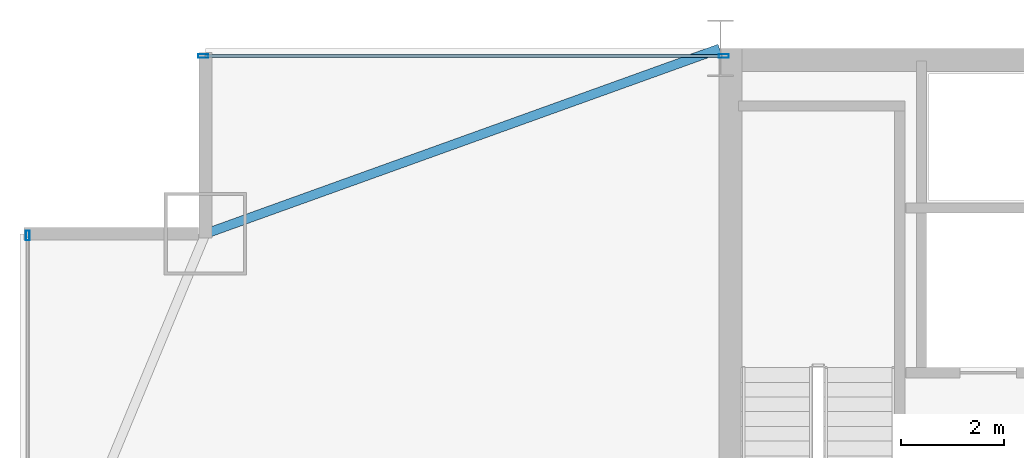
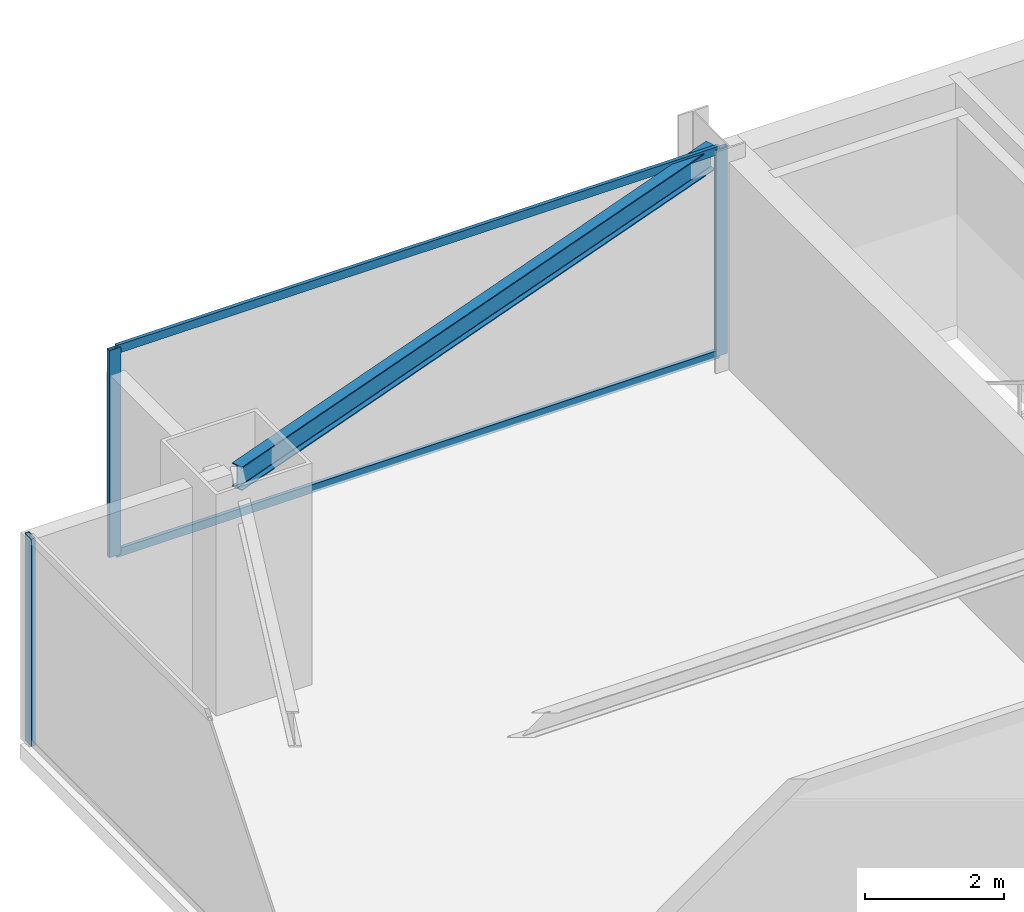
# One storey, part 22 of 30: 5 members, 1 beam, 2 elements without a shape of their own.
"""IFC4 building model written with IfcOpenShell, lengths in metres."""

from ifc_helpers import new_model, si_unit, direction, frame, origin, origin_2d, place, context, subcontext, project, spatial, hollow_rectangle, i_section, extrude, source, transform, mapped, material, layer, layer_set, material_profile, profile_set, type_object, type_shapes, element, aggregate, save


model = new_model("IFC4")

# Units and contexts
model_context = context("Model", 3, precision=1e-05, world=origin(), true_north=direction((0.0, 1.0)))
body_context = subcontext(model_context, "Body", "Model", "MODEL_VIEW")
ifc_project = project(units=[si_unit("LENGTHUNIT", "METRE"), si_unit("AREAUNIT", "SQUARE_METRE"), si_unit("VOLUMEUNIT", "CUBIC_METRE"), si_unit("PLANEANGLEUNIT", "RADIAN"), si_unit("MASSUNIT", "GRAM", prefix="KILO")], contexts=[model_context])

# Site, building, storey
site_placement = place(None, origin())
site = spatial("IfcSite", under=ifc_project, at=site_placement, CompositionType="ELEMENT")
building_placement = place(site_placement, origin())
building = spatial("IfcBuilding", under=site, at=building_placement, Name="Varnel Quay Broadcast Tower", CompositionType="ELEMENT")
storey_placement = place(building_placement, frame((0.0, 0.0, 62.699951171875)))
storey = spatial("IfcBuildingStorey", under=building, at=storey_placement, Name="L14", CompositionType="ELEMENT", Elevation=62.699951171875)

# Beam
ifc_material_1 = material(Name="Structural Steel CSA G40.21 350W", Category="steel")
ifc_material_profile_1 = material_profile(ifc_material_1, i_section(OverallWidth=0.180908203125, OverallDepth=0.4169921875, WebThickness=0.010986328125, FlangeThickness=0.018310546875, FilletRadius=0.011962890625, at=origin_2d()), Name="W410X85")
ifc_profile_set_1 = profile_set([ifc_material_profile_1], Name="Structural Steel CSA G40.21 350W")
beam_type = type_object("IfcBeamType", Name="Beam_W410X85", PredefinedType="SPANDREL", material=ifc_profile_set_1)
shared_shape_1 = source(origin(), body_context, "Body", "SweptSolid", [
    extrude(i_section(OverallWidth=0.180908203125, OverallDepth=0.4169921875, WebThickness=0.010986328125, FlangeThickness=0.018310546875, FilletRadius=0.011962890625, at=origin_2d()), origin(), (0.0, 0.0, 1.0), 10.58837890625),
])
type_shapes(beam_type, [shared_shape_1])
beam_placement = place(storey_placement, frame((5.618896484375, 43.206787109375, 3.441650390625), z_axis=(0.940888587605, 0.338716202321, 0.0), x_axis=(-0.338716202321, 0.940888587605, 0.0)))
element("IfcBeam", 1, at=beam_placement, inside=storey, type_object=beam_type, Name="L14 NW Tie Spandrel", PredefinedType="SPANDREL", context=body_context, shape_type="MappedRepresentation", body=[
    mapped(shared_shape_1, transform((0.0, 0.0, 0.0), x_axis=(1.0, 0.0, 0.0), y_axis=(0.0, 1.0, 0.0), z_axis=(0.0, 0.0, 1.0), scale=1.0)),
])

# Curtain wall, members
ifc_material_2 = material(Name="Anodised Bronze Aluminium 6063-T6", Category="aluminium")
ifc_layer = layer(ifc_material_2, 0.18994140625, Name="Anodised Bronze Aluminium 6063-T6")
ifc_layer_set = layer_set([ifc_layer], Name="Anodised Bronze Aluminium 6063-T6")
curtain_wall_type = type_object("IfcCurtainWallType", Name="CW_LowerTower", PredefinedType="NOTDEFINED", material=ifc_layer_set)
curtain_wall_1_placement = place(storey_placement, origin())
curtain_wall_1 = element("IfcCurtainWall", 2, at=curtain_wall_1_placement, inside=storey, type_object=curtain_wall_type, Name="L14 NW Wing Curtain Wall", PredefinedType="NOTDEFINED")
ifc_material_profile_2 = material_profile(ifc_material_2, hollow_rectangle(XDim=0.06005859375, YDim=0.14501953125, WallThickness=0.00341796875, at=origin_2d()), Name="ALU60X145X3.5")
ifc_profile_set_2 = profile_set([ifc_material_profile_2], Name="Anodised Bronze Aluminium 6063-T6")
member_type_1 = type_object("IfcMemberType", Name="Tran_CWS-02", PredefinedType="USERDEFINED", material=ifc_profile_set_2)
shared_shape_2 = source(origin(), body_context, "Body", "SweptSolid", [
    extrude(hollow_rectangle(XDim=0.06005859375, YDim=0.14501953125, WallThickness=0.00341796875, at=origin_2d()), origin(), (0.0, 0.0, 1.0), 10.039794921875),
])
type_shapes(member_type_1, [shared_shape_2])
member_1_placement = place(storey_placement, frame((5.590087890625, 46.64990234375, 0.030029296875), z_axis=(1.0, 0.0, 0.0), x_axis=(0.0, 1.0, 0.0)))
member_1 = element("IfcMember", 3, at=member_1_placement, type_object=member_type_1, Name="CWS-02 transom 1.1", ObjectType="TRANSOM", PredefinedType="USERDEFINED", context=body_context, shape_type="MappedRepresentation", body=[
    mapped(shared_shape_2, transform((0.0, 0.0, 0.0), x_axis=(1.0, 0.0, 0.0), y_axis=(0.0, 1.0, 0.0), z_axis=(0.0, 0.0, 1.0), scale=1.0)),
])
member_2_placement = place(storey_placement, frame((5.590087890625, 46.64990234375, 3.6201171875), z_axis=(1.0, 0.0, 0.0), x_axis=(0.0, 1.0, 0.0)))
member_2 = element("IfcMember", 4, at=member_2_placement, type_object=member_type_1, Name="CWS-02 transom 1.2", ObjectType="TRANSOM", PredefinedType="USERDEFINED", context=body_context, shape_type="MappedRepresentation", body=[
    mapped(shared_shape_2, transform((0.0, 0.0, 0.0), x_axis=(1.0, 0.0, 0.0), y_axis=(0.0, 1.0, 0.0), z_axis=(0.0, 0.0, 1.0), scale=1.0)),
])

# Curtain wall, member
curtain_wall_2_placement = place(storey_placement, origin())
curtain_wall_2 = element("IfcCurtainWall", 5, at=curtain_wall_2_placement, inside=storey, type_object=curtain_wall_type, Name="L14 West Unitised Curtain Wall", PredefinedType="NOTDEFINED")
ifc_material_profile_3 = material_profile(ifc_material_2, hollow_rectangle(XDim=0.070068359375, YDim=0.18994140625, WallThickness=0.00390625, at=origin_2d()), Name="ALU70X190X4")
ifc_profile_set_3 = profile_set([ifc_material_profile_3], Name="Anodised Bronze Aluminium 6063-T6")
member_type_2 = type_object("IfcMemberType", Name="Mull_CWS-02", PredefinedType="MULLION", material=ifc_profile_set_3)
shared_shape_3 = source(origin(), body_context, "Body", "SweptSolid", [
    extrude(hollow_rectangle(XDim=0.070068359375, YDim=0.18994140625, WallThickness=0.00390625, at=origin_2d()), origin(), (0.0, 0.0, 1.0), 3.650146484375),
])
type_shapes(member_type_2, [shared_shape_3])
member_3_placement = place(storey_placement, frame((2.14990234375, 43.1650390625, 0.0), z_axis=(0.0, 0.0, 1.0), x_axis=(-1.0, 0.0, 0.0)))
member_3 = element("IfcMember", 6, at=member_3_placement, type_object=member_type_2, Name="CWS-02 mullion 4", PredefinedType="MULLION", context=body_context, shape_type="MappedRepresentation", body=[
    mapped(shared_shape_3, transform((0.0, 0.0, 0.0), x_axis=(1.0, 0.0, 0.0), y_axis=(0.0, 1.0, 0.0), z_axis=(0.0, 0.0, 1.0), scale=1.0)),
])
aggregate(curtain_wall_2, [member_3])

# Member
member_4_placement = place(storey_placement, frame((5.554931640625, 46.64990234375, 0.0), z_axis=(0.0, 0.0, 1.0), x_axis=(0.0, 1.0, 0.0)))
member_4 = element("IfcMember", 7, at=member_4_placement, type_object=member_type_2, Name="CWS-02 mullion 1", PredefinedType="MULLION", context=body_context, shape_type="MappedRepresentation", body=[
    mapped(shared_shape_3, transform((0.0, 0.0, 0.0), x_axis=(1.0, 0.0, 0.0), y_axis=(0.0, 1.0, 0.0), z_axis=(0.0, 0.0, 1.0), scale=1.0)),
])

member_5_placement = place(storey_placement, frame((15.6650390625, 46.64990234375, 0.0), z_axis=(0.0, 0.0, 1.0), x_axis=(0.0, 1.0, 0.0)))
member_5 = element("IfcMember", 8, at=member_5_placement, type_object=member_type_2, Name="CWS-02 mullion 2", PredefinedType="MULLION", context=body_context, shape_type="MappedRepresentation", body=[
    mapped(shared_shape_3, transform((0.0, 0.0, 0.0), x_axis=(1.0, 0.0, 0.0), y_axis=(0.0, 1.0, 0.0), z_axis=(0.0, 0.0, 1.0), scale=1.0)),
])

aggregate(curtain_wall_1, [member_4, member_5, member_1, member_2])

save(model, "model.ifc")
